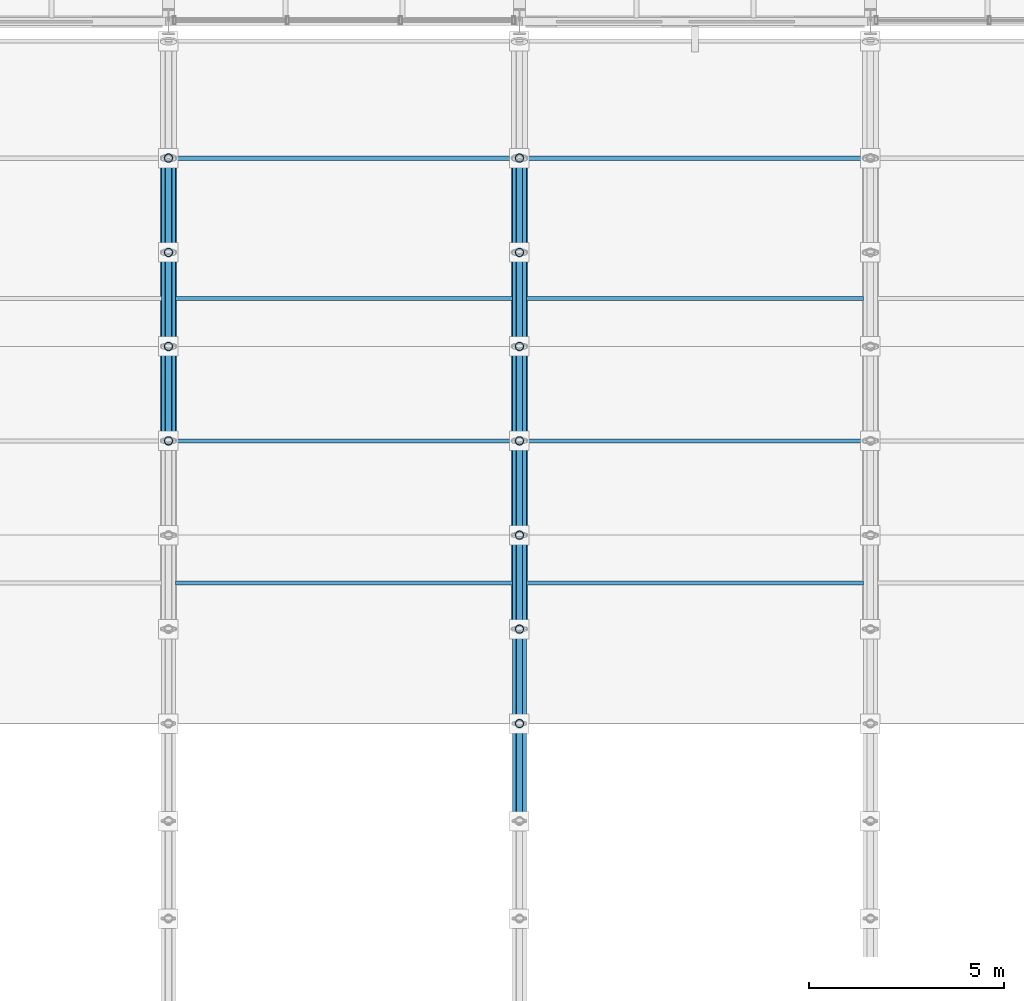
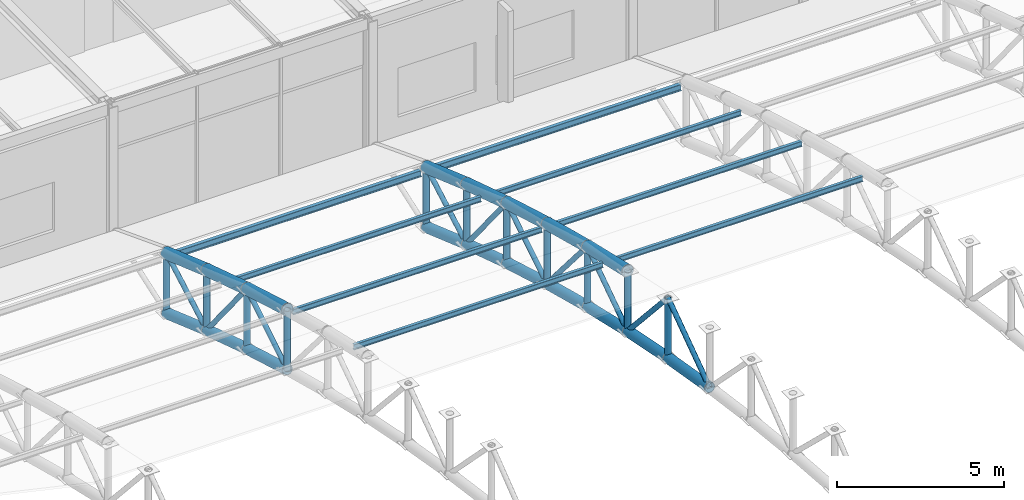
# One storey, part 35 of 195: 47 members.
"""IFC4 building model written with IfcOpenShell, lengths in metres."""

from ifc_helpers import new_model, si_unit, direction, frame, origin, origin_2d, place, context, subcontext, project, spatial, hollow_circle, i_section, extrude, material, material_profile, profile_set, type_object, element, save


model = new_model("IFC4")

# Units and contexts
model_context = context("Model", 3, precision=1e-05, world=origin(), true_north=direction((0.0, 1.0)))
body_context = subcontext(model_context, "Body", "Model", "MODEL_VIEW")
ifc_project = project(units=[si_unit("LENGTHUNIT", "METRE"), si_unit("AREAUNIT", "SQUARE_METRE"), si_unit("VOLUMEUNIT", "CUBIC_METRE"), si_unit("PLANEANGLEUNIT", "RADIAN"), si_unit("MASSUNIT", "GRAM", prefix="KILO")], contexts=[model_context])

# Site, building, storey
site_placement = place(None, origin())
site = spatial("IfcSite", under=ifc_project, at=site_placement, CompositionType="ELEMENT")
building_placement = place(site_placement, origin())
building = spatial("IfcBuilding", under=site, at=building_placement, Name="Marlcrest Central Station", CompositionType="ELEMENT")
storey_placement = place(building_placement, frame((0.0, 0.0, 9.800048828125)))
storey = spatial("IfcBuildingStorey", under=building, at=storey_placement, Name="L02", CompositionType="ELEMENT", Elevation=9.800048828125)

# Members
ifc_material = material(Name="Steel S355", Category="steel")
ifc_material_profile_1 = material_profile(ifc_material, hollow_circle(Radius=0.203125, WallThickness=0.02001953125, at=origin_2d()), Name="CHS 406.4x20")
ifc_profile_set_1 = profile_set([ifc_material_profile_1], Name="Steel S355")
member_type_1 = type_object("IfcMemberType", Name="AC-01", PredefinedType="CHORD", material=ifc_profile_set_1)
member_1_placement = place(storey_placement, frame((18.0, 88.25, 3.927978515625), z_axis=(0.0, 0.960130083362, -0.27955361386), x_axis=(-1.0, 0.0, 0.0)))
element("IfcMember", 1, at=member_1_placement, inside=storey, type_object=member_type_1, Name="mem-AC-01-L02-00379", PredefinedType="CHORD", context=body_context, shape_type="SweptSolid", body=[
    extrude(hollow_circle(Radius=0.203125, WallThickness=0.02001953125, at=origin_2d()), origin(), (0.0, 0.0, 1.0), 2.5205078125),
])
member_2_placement = place(storey_placement, frame((18.0, 90.669921875, 3.223388671875), z_axis=(0.0, 0.952116828449, -0.305734435391), x_axis=(-1.0, 0.0, 0.0)))
element("IfcMember", 2, at=member_2_placement, inside=storey, type_object=member_type_1, Name="mem-AC-01-L02-00383", PredefinedType="CHORD", context=body_context, shape_type="SweptSolid", body=[
    extrude(hollow_circle(Radius=0.203125, WallThickness=0.02001953125, at=origin_2d()), origin(), (0.0, 0.0, 1.0), 2.53125),
])
member_3_placement = place(storey_placement, frame((18.0, 93.080078125, 2.449462890625), z_axis=(0.0, 0.94353735649, -0.331266142109), x_axis=(-1.0, 0.0, 0.0)))
element("IfcMember", 3, at=member_3_placement, inside=storey, type_object=member_type_1, Name="mem-AC-01-L02-00387", PredefinedType="CHORD", context=body_context, shape_type="SweptSolid", body=[
    extrude(hollow_circle(Radius=0.203125, WallThickness=0.02001953125, at=origin_2d()), origin(), (0.0, 0.0, 1.0), 2.564697265625),
])
member_4_placement = place(storey_placement, frame((27.0, 83.419921875, 5.116943359375), z_axis=(0.0, 0.974329612642, -0.225126200004), x_axis=(-1.0, 0.0, 0.0)))
element("IfcMember", 4, at=member_4_placement, inside=storey, type_object=member_type_1, Name="mem-AC-01-L02-00487", PredefinedType="CHORD", context=body_context, shape_type="SweptSolid", body=[
    extrude(hollow_circle(Radius=0.203125, WallThickness=0.02001953125, at=origin_2d()), origin(), (0.0, 0.0, 1.0), 2.4736328125),
])
member_5_placement = place(storey_placement, frame((27.0, 85.830078125, 4.56005859375), z_axis=(0.0, 0.967539481681, -0.252719906989), x_axis=(-1.0, 0.0, 0.0)))
element("IfcMember", 5, at=member_5_placement, inside=storey, type_object=member_type_1, Name="mem-AC-01-L02-00491", PredefinedType="CHORD", context=body_context, shape_type="SweptSolid", body=[
    extrude(hollow_circle(Radius=0.203125, WallThickness=0.02001953125, at=origin_2d()), origin(), (0.0, 0.0, 1.0), 2.501220703125),
])
member_6_placement = place(storey_placement, frame((27.0, 88.25, 3.927978515625), z_axis=(0.0, 0.960130083362, -0.27955361386), x_axis=(-1.0, 0.0, 0.0)))
element("IfcMember", 6, at=member_6_placement, inside=storey, type_object=member_type_1, Name="mem-AC-01-L02-00495", PredefinedType="CHORD", context=body_context, shape_type="SweptSolid", body=[
    extrude(hollow_circle(Radius=0.203125, WallThickness=0.02001953125, at=origin_2d()), origin(), (0.0, 0.0, 1.0), 2.5205078125),
])
member_7_placement = place(storey_placement, frame((27.0, 90.669921875, 3.223388671875), z_axis=(0.0, 0.952116828449, -0.305734435391), x_axis=(-1.0, 0.0, 0.0)))
element("IfcMember", 7, at=member_7_placement, inside=storey, type_object=member_type_1, Name="mem-AC-01-L02-00499", PredefinedType="CHORD", context=body_context, shape_type="SweptSolid", body=[
    extrude(hollow_circle(Radius=0.203125, WallThickness=0.02001953125, at=origin_2d()), origin(), (0.0, 0.0, 1.0), 2.53125),
])
member_8_placement = place(storey_placement, frame((27.0, 93.080078125, 2.449462890625), z_axis=(0.0, 0.94353735649, -0.331266142109), x_axis=(-1.0, 0.0, 0.0)))
element("IfcMember", 8, at=member_8_placement, inside=storey, type_object=member_type_1, Name="mem-AC-01-L02-00503", PredefinedType="CHORD", context=body_context, shape_type="SweptSolid", body=[
    extrude(hollow_circle(Radius=0.203125, WallThickness=0.02001953125, at=origin_2d()), origin(), (0.0, 0.0, 1.0), 2.564697265625),
])
ifc_material_profile_2 = material_profile(ifc_material, hollow_circle(Radius=0.177734375, WallThickness=0.01611328125, at=origin_2d()), Name="CHS 355.6x16")
ifc_profile_set_2 = profile_set([ifc_material_profile_2], Name="Steel S355")
member_type_2 = type_object("IfcMemberType", Name="AC-02", PredefinedType="CHORD", material=ifc_profile_set_2)
member_9_placement = place(storey_placement, frame((18.0, 88.25, 1.72802734375), z_axis=(0.0, 0.960130083362, -0.27955361386), x_axis=(-1.0, 0.0, 0.0)))
element("IfcMember", 9, at=member_9_placement, inside=storey, type_object=member_type_2, Name="mem-AC-02-L02-00380", PredefinedType="CHORD", context=body_context, shape_type="SweptSolid", body=[
    extrude(hollow_circle(Radius=0.177734375, WallThickness=0.01611328125, at=origin_2d()), origin(), (0.0, 0.0, 1.0), 2.5205078125),
])
member_10_placement = place(storey_placement, frame((18.0, 90.669921875, 1.0234375), z_axis=(0.0, 0.952116828449, -0.305734435391), x_axis=(-1.0, 0.0, 0.0)))
element("IfcMember", 10, at=member_10_placement, inside=storey, type_object=member_type_2, Name="mem-AC-02-L02-00384", PredefinedType="CHORD", context=body_context, shape_type="SweptSolid", body=[
    extrude(hollow_circle(Radius=0.177734375, WallThickness=0.01611328125, at=origin_2d()), origin(), (0.0, 0.0, 1.0), 2.53125),
])
member_11_placement = place(storey_placement, frame((18.0, 93.080078125, 0.24951171875), z_axis=(0.0, 0.94353735649, -0.331266142109), x_axis=(-1.0, 0.0, 0.0)))
element("IfcMember", 11, at=member_11_placement, inside=storey, type_object=member_type_2, Name="mem-AC-02-L02-00388", PredefinedType="CHORD", context=body_context, shape_type="SweptSolid", body=[
    extrude(hollow_circle(Radius=0.177734375, WallThickness=0.01611328125, at=origin_2d()), origin(), (0.0, 0.0, 1.0), 2.564697265625),
])
member_12_placement = place(storey_placement, frame((27.0, 78.5, 3.83056640625), z_axis=(0.0, 0.98574109921, -0.168269086076), x_axis=(-1.0, 0.0, 0.0)))
element("IfcMember", 12, at=member_12_placement, inside=storey, type_object=member_type_2, Name="mem-AC-02-L02-00480", PredefinedType="CHORD", context=body_context, shape_type="SweptSolid", body=[
    extrude(hollow_circle(Radius=0.177734375, WallThickness=0.01611328125, at=origin_2d()), origin(), (0.0, 0.0, 1.0), 2.5361328125),
])
member_13_placement = place(storey_placement, frame((27.0, 81.0, 3.40380859375), z_axis=(0.0, 0.980359417961, -0.197219196874), x_axis=(-1.0, 0.0, 0.0)))
element("IfcMember", 13, at=member_13_placement, inside=storey, type_object=member_type_2, Name="mem-AC-02-L02-00484", PredefinedType="CHORD", context=body_context, shape_type="SweptSolid", body=[
    extrude(hollow_circle(Radius=0.177734375, WallThickness=0.01611328125, at=origin_2d()), origin(), (0.0, 0.0, 1.0), 2.468505859375),
])
member_14_placement = place(storey_placement, frame((27.0, 83.419921875, 2.9169921875), z_axis=(0.0, 0.974307959875, -0.225219891049), x_axis=(-1.0, 0.0, 0.0)))
element("IfcMember", 14, at=member_14_placement, inside=storey, type_object=member_type_2, Name="mem-AC-02-L02-00488", PredefinedType="CHORD", context=body_context, shape_type="SweptSolid", body=[
    extrude(hollow_circle(Radius=0.177734375, WallThickness=0.01611328125, at=origin_2d()), origin(), (0.0, 0.0, 1.0), 2.4736328125),
])
member_15_placement = place(storey_placement, frame((27.0, 85.830078125, 2.35986328125), z_axis=(0.0, 0.967563345928, -0.252628524946), x_axis=(-1.0, 0.0, 0.0)))
element("IfcMember", 15, at=member_15_placement, inside=storey, type_object=member_type_2, Name="mem-AC-02-L02-00492", PredefinedType="CHORD", context=body_context, shape_type="SweptSolid", body=[
    extrude(hollow_circle(Radius=0.177734375, WallThickness=0.01611328125, at=origin_2d()), origin(), (0.0, 0.0, 1.0), 2.5009765625),
])
member_16_placement = place(storey_placement, frame((27.0, 88.25, 1.72802734375), z_axis=(0.0, 0.960130083362, -0.27955361386), x_axis=(-1.0, 0.0, 0.0)))
element("IfcMember", 16, at=member_16_placement, inside=storey, type_object=member_type_2, Name="mem-AC-02-L02-00496", PredefinedType="CHORD", context=body_context, shape_type="SweptSolid", body=[
    extrude(hollow_circle(Radius=0.177734375, WallThickness=0.01611328125, at=origin_2d()), origin(), (0.0, 0.0, 1.0), 2.5205078125),
])
member_17_placement = place(storey_placement, frame((27.0, 90.669921875, 1.0234375), z_axis=(0.0, 0.952116828449, -0.305734435391), x_axis=(-1.0, 0.0, 0.0)))
element("IfcMember", 17, at=member_17_placement, inside=storey, type_object=member_type_2, Name="mem-AC-02-L02-00500", PredefinedType="CHORD", context=body_context, shape_type="SweptSolid", body=[
    extrude(hollow_circle(Radius=0.177734375, WallThickness=0.01611328125, at=origin_2d()), origin(), (0.0, 0.0, 1.0), 2.53125),
])
member_18_placement = place(storey_placement, frame((27.0, 93.080078125, 0.24951171875), z_axis=(0.0, 0.94353735649, -0.331266142109), x_axis=(-1.0, 0.0, 0.0)))
element("IfcMember", 18, at=member_18_placement, inside=storey, type_object=member_type_2, Name="mem-AC-02-L02-00504", PredefinedType="CHORD", context=body_context, shape_type="SweptSolid", body=[
    extrude(hollow_circle(Radius=0.177734375, WallThickness=0.01611328125, at=origin_2d()), origin(), (0.0, 0.0, 1.0), 2.564697265625),
])
ifc_material_profile_3 = material_profile(ifc_material, hollow_circle(Radius=0.084228515625, WallThickness=0.010009765625, at=origin_2d()), Name="CHS 168.3x10")
ifc_profile_set_3 = profile_set([ifc_material_profile_3], Name="Steel S355")
member_type_3 = type_object("IfcMemberType", Name="AD-01", PredefinedType="BRACE", material=ifc_profile_set_3)
member_19_placement = place(storey_placement, frame((18.0, 88.25, 1.72802734375), z_axis=(0.0, 0.850687380038, 0.525671933286), x_axis=(-1.0, 0.0, 0.0)))
element("IfcMember", 19, at=member_19_placement, inside=storey, type_object=member_type_3, Name="mem-AD-01-L02-00382", PredefinedType="BRACE", context=body_context, shape_type="SweptSolid", body=[
    extrude(hollow_circle(Radius=0.084228515625, WallThickness=0.010009765625, at=origin_2d()), origin(), (0.0, 0.0, 1.0), 2.8447265625),
])
member_20_placement = place(storey_placement, frame((18.0, 90.669921875, 3.223388671875), z_axis=(0.0, 0.62962929743, -0.776895712318), x_axis=(-1.0, 0.0, 0.0)))
element("IfcMember", 20, at=member_20_placement, inside=storey, type_object=member_type_3, Name="mem-AD-01-L02-00386", PredefinedType="BRACE", context=body_context, shape_type="SweptSolid", body=[
    extrude(hollow_circle(Radius=0.084228515625, WallThickness=0.010009765625, at=origin_2d()), origin(), (0.0, 0.0, 1.0), 3.827880859375),
])
member_21_placement = place(storey_placement, frame((18.0, 93.080078125, 0.24951171875), z_axis=(0.0, 0.873245653167, 0.487280236851), x_axis=(-1.0, 0.0, 0.0)))
element("IfcMember", 21, at=member_21_placement, inside=storey, type_object=member_type_3, Name="mem-AD-01-L02-00390", PredefinedType="BRACE", context=body_context, shape_type="SweptSolid", body=[
    extrude(hollow_circle(Radius=0.084228515625, WallThickness=0.010009765625, at=origin_2d()), origin(), (0.0, 0.0, 1.0), 2.771240234375),
])
member_22_placement = place(storey_placement, frame((27.0, 78.5, 3.83056640625), z_axis=(0.0, 0.815661132754, 0.57852996164), x_axis=(-1.0, 0.0, 0.0)))
element("IfcMember", 22, at=member_22_placement, inside=storey, type_object=member_type_3, Name="mem-AD-01-L02-00482", PredefinedType="BRACE", context=body_context, shape_type="SweptSolid", body=[
    extrude(hollow_circle(Radius=0.084228515625, WallThickness=0.010009765625, at=origin_2d()), origin(), (0.0, 0.0, 1.0), 3.06494140625),
])
member_23_placement = place(storey_placement, frame((27.0, 81.0, 5.603759765625), z_axis=(0.0, 0.669244457479, -0.743042297675), x_axis=(-1.0, 0.0, 0.0)))
element("IfcMember", 23, at=member_23_placement, inside=storey, type_object=member_type_3, Name="mem-AD-01-L02-00486", PredefinedType="BRACE", context=body_context, shape_type="SweptSolid", body=[
    extrude(hollow_circle(Radius=0.084228515625, WallThickness=0.010009765625, at=origin_2d()), origin(), (0.0, 0.0, 1.0), 3.615966796875),
])
member_24_placement = place(storey_placement, frame((27.0, 83.419921875, 2.9169921875), z_axis=(0.0, 0.82626275624, 0.563284881432), x_axis=(-1.0, 0.0, 0.0)))
element("IfcMember", 24, at=member_24_placement, inside=storey, type_object=member_type_3, Name="mem-AD-01-L02-00490", PredefinedType="BRACE", context=body_context, shape_type="SweptSolid", body=[
    extrude(hollow_circle(Radius=0.084228515625, WallThickness=0.010009765625, at=origin_2d()), origin(), (0.0, 0.0, 1.0), 2.9169921875),
])
member_25_placement = place(storey_placement, frame((27.0, 85.830078125, 4.56005859375), z_axis=(0.0, 0.649624779144, -0.760254987699), x_axis=(-1.0, 0.0, 0.0)))
element("IfcMember", 25, at=member_25_placement, inside=storey, type_object=member_type_3, Name="mem-AD-01-L02-00494", PredefinedType="BRACE", context=body_context, shape_type="SweptSolid", body=[
    extrude(hollow_circle(Radius=0.084228515625, WallThickness=0.010009765625, at=origin_2d()), origin(), (0.0, 0.0, 1.0), 3.72509765625),
])
member_26_placement = place(storey_placement, frame((27.0, 88.25, 1.72802734375), z_axis=(0.0, 0.850687380038, 0.525671933286), x_axis=(-1.0, 0.0, 0.0)))
element("IfcMember", 26, at=member_26_placement, inside=storey, type_object=member_type_3, Name="mem-AD-01-L02-00498", PredefinedType="BRACE", context=body_context, shape_type="SweptSolid", body=[
    extrude(hollow_circle(Radius=0.084228515625, WallThickness=0.010009765625, at=origin_2d()), origin(), (0.0, 0.0, 1.0), 2.8447265625),
])
member_27_placement = place(storey_placement, frame((27.0, 90.669921875, 3.223388671875), z_axis=(0.0, 0.62962929743, -0.776895712318), x_axis=(-1.0, 0.0, 0.0)))
element("IfcMember", 27, at=member_27_placement, inside=storey, type_object=member_type_3, Name="mem-AD-01-L02-00502", PredefinedType="BRACE", context=body_context, shape_type="SweptSolid", body=[
    extrude(hollow_circle(Radius=0.084228515625, WallThickness=0.010009765625, at=origin_2d()), origin(), (0.0, 0.0, 1.0), 3.827880859375),
])
member_28_placement = place(storey_placement, frame((27.0, 93.080078125, 0.24951171875), z_axis=(0.0, 0.873245653167, 0.487280236851), x_axis=(-1.0, 0.0, 0.0)))
element("IfcMember", 28, at=member_28_placement, inside=storey, type_object=member_type_3, Name="mem-AD-01-L02-00506", PredefinedType="BRACE", context=body_context, shape_type="SweptSolid", body=[
    extrude(hollow_circle(Radius=0.084228515625, WallThickness=0.010009765625, at=origin_2d()), origin(), (0.0, 0.0, 1.0), 2.771240234375),
])
ifc_material_profile_4 = material_profile(ifc_material, hollow_circle(Radius=0.109619140625, WallThickness=0.012451171875, at=origin_2d()), Name="CHS 219.1x12.5")
ifc_profile_set_4 = profile_set([ifc_material_profile_4], Name="Steel S355")
member_type_4 = type_object("IfcMemberType", Name="AP-01", PredefinedType="POST", material=ifc_profile_set_4)
for number, where, z_axis, x_axis, name in (
    (29, (18.0, 88.25, 1.72802734375), (0.0, 0.0, 1.0), (1.0, 0.0, 0.0), "mem-AP-01-L02-00381"),
    (30, (18.0, 90.669921875, 1.0234375), (0.0, 0.0, 1.0), (1.0, 0.0, 0.0), "mem-AP-01-L02-00385"),
    (31, (18.0, 93.080078125, 0.24951171875), (0.0, 0.0, 1.0), (1.0, 0.0, 0.0), "mem-AP-01-L02-00389"),
    (32, (18.0, 95.5, -0.60009765625), (0.0, 0.0, 1.0), (1.0, 0.0, 0.0), "mem-AP-01-L02-00392"),
    (33, (27.0, 81.0, 3.40380859375), (0.0, 0.0, 1.0), (1.0, 0.0, 0.0), "mem-AP-01-L02-00485"),
    (34, (27.0, 83.419921875, 2.9169921875), (0.0, 0.0, 1.0), (1.0, 0.0, 0.0), "mem-AP-01-L02-00489"),
):
    element("IfcMember", number, at=place(storey_placement, frame(where, z_axis=z_axis, x_axis=x_axis)), inside=storey, type_object=member_type_4, Name=name, PredefinedType="POST", context=body_context, shape_type="SweptSolid", body=[
        extrude(hollow_circle(Radius=0.109619140625, WallThickness=0.012451171875, at=origin_2d()), origin(), (0.0, 0.0, 1.0), 2.199951171875),
    ])
member_29_placement = place(storey_placement, frame((27.0, 85.830078125, 2.35986328125), z_axis=(0.0, 0.0, 1.0), x_axis=(1.0, 0.0, 0.0)))
element("IfcMember", 35, at=member_29_placement, inside=storey, type_object=member_type_4, Name="mem-AP-01-L02-00493", PredefinedType="POST", context=body_context, shape_type="SweptSolid", body=[
    extrude(hollow_circle(Radius=0.109619140625, WallThickness=0.012451171875, at=origin_2d()), origin(), (0.0, 0.0, 1.0), 2.2001953125),
])
for number, where, z_axis, x_axis, name in (
    (36, (27.0, 88.25, 1.72802734375), (0.0, 0.0, 1.0), (1.0, 0.0, 0.0), "mem-AP-01-L02-00497"),
    (37, (27.0, 90.669921875, 1.0234375), (0.0, 0.0, 1.0), (1.0, 0.0, 0.0), "mem-AP-01-L02-00501"),
    (38, (27.0, 93.080078125, 0.24951171875), (0.0, 0.0, 1.0), (1.0, 0.0, 0.0), "mem-AP-01-L02-00505"),
    (39, (27.0, 95.5, -0.60009765625), (0.0, 0.0, 1.0), (1.0, 0.0, 0.0), "mem-AP-01-L02-00508"),
):
    element("IfcMember", number, at=place(storey_placement, frame(where, z_axis=z_axis, x_axis=x_axis)), inside=storey, type_object=member_type_4, Name=name, PredefinedType="POST", context=body_context, shape_type="SweptSolid", body=[
        extrude(hollow_circle(Radius=0.109619140625, WallThickness=0.012451171875, at=origin_2d()), origin(), (0.0, 0.0, 1.0), 2.199951171875),
    ])
ifc_material_profile_5 = material_profile(ifc_material, i_section(OverallWidth=0.10009765625, OverallDepth=0.199951171875, WebThickness=0.005615234375, FlangeThickness=0.008544921875, FilletRadius=0.011962890625, at=origin_2d()), Name="IPE 200")
ifc_profile_set_5 = profile_set([ifc_material_profile_5], Name="Steel S355")
member_type_5 = type_object("IfcMemberType", Name="PR-01", PredefinedType="PURLIN", material=ifc_profile_set_5)
for number, where, z_axis, x_axis, name in (
    (40, (18.179931640625, 84.60009765625, 4.713134765625), (1.0, 0.0, 0.0), (0.0, 1.0, 0.0), "mem-PR-01-L02-00404"),
    (41, (18.179931640625, 88.25, 3.7880859375), (1.0, 0.0, 0.0), (0.0, 1.0, 0.0), "mem-PR-01-L02-00405"),
    (42, (18.179931640625, 91.89990234375, 2.697509765625), (1.0, 0.0, 0.0), (0.0, 1.0, 0.0), "mem-PR-01-L02-00406"),
    (43, (27.179931640625, 84.60009765625, 4.713134765625), (1.0, 0.0, 0.0), (0.0, 1.0, 0.0), "mem-PR-01-L02-00520"),
    (44, (27.179931640625, 88.25, 3.7880859375), (1.0, 0.0, 0.0), (0.0, 1.0, 0.0), "mem-PR-01-L02-00521"),
    (45, (27.179931640625, 91.89990234375, 2.697509765625), (1.0, 0.0, 0.0), (0.0, 1.0, 0.0), "mem-PR-01-L02-00522"),
):
    element("IfcMember", number, at=place(storey_placement, frame(where, z_axis=z_axis, x_axis=x_axis)), inside=storey, type_object=member_type_5, Name=name, PredefinedType="PURLIN", context=body_context, shape_type="SweptSolid", body=[
        extrude(i_section(OverallWidth=0.10009765625, OverallDepth=0.199951171875, WebThickness=0.005615234375, FlangeThickness=0.008544921875, FilletRadius=0.011962890625, at=origin_2d()), origin(), (0.0, 0.0, 1.0), 8.64013671875),
    ])
ifc_material_profile_6 = material_profile(ifc_material, i_section(OverallWidth=0.1201171875, OverallDepth=0.239990234375, WebThickness=0.006103515625, FlangeThickness=0.009765625, FilletRadius=0.014892578125, at=origin_2d()), Name="IPE 240")
ifc_profile_set_6 = profile_set([ifc_material_profile_6], Name="Steel S355")
member_type_6 = type_object("IfcMemberType", Name="PR-02", PredefinedType="PURLIN", material=ifc_profile_set_6)
for number, where, z_axis, x_axis, name in (
    (46, (18.179931640625, 95.5, 1.4599609375), (1.0, 0.0, 0.0), (0.0, 1.0, 0.0), "mem-PR-02-L02-00407"),
    (47, (27.179931640625, 95.5, 1.4599609375), (1.0, 0.0, 0.0), (0.0, 1.0, 0.0), "mem-PR-02-L02-00523"),
):
    element("IfcMember", number, at=place(storey_placement, frame(where, z_axis=z_axis, x_axis=x_axis)), inside=storey, type_object=member_type_6, Name=name, PredefinedType="PURLIN", context=body_context, shape_type="SweptSolid", body=[
        extrude(i_section(OverallWidth=0.1201171875, OverallDepth=0.239990234375, WebThickness=0.006103515625, FlangeThickness=0.009765625, FilletRadius=0.014892578125, at=origin_2d()), origin(), (0.0, 0.0, 1.0), 8.64013671875),
    ])

save(model, "model.ifc")
